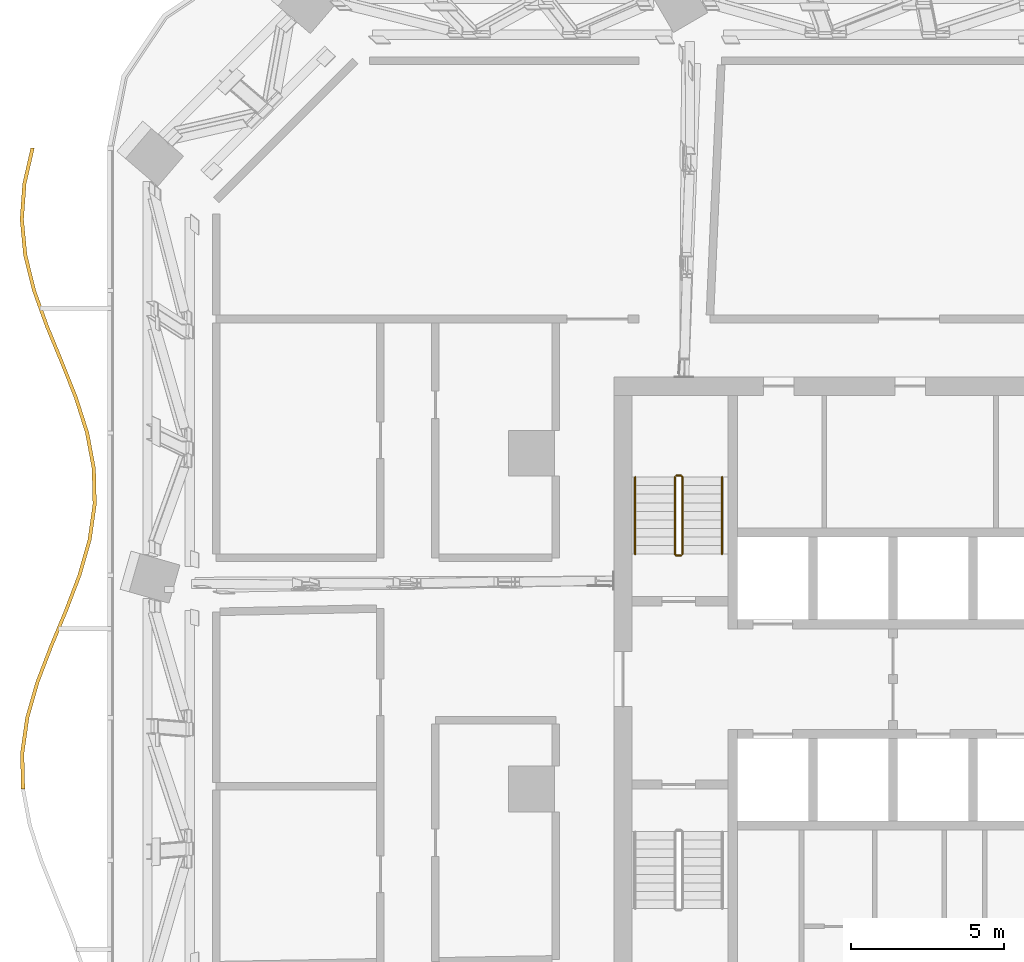
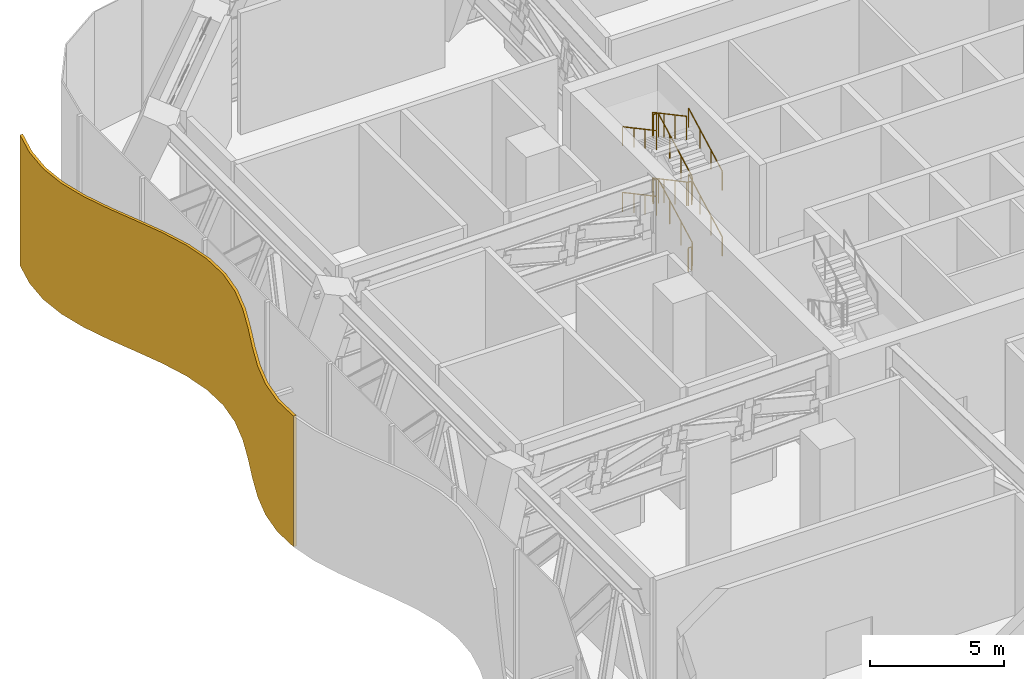
# One storey, part 29 of 32: 9 railings, 1 shading device.
"""IFC4 building model written with IfcOpenShell, lengths in metres."""

from ifc_helpers import new_model, si_unit, direction, frame, origin, origin_2d, place, context, subcontext, project, spatial, polyline, circle, outline, extrude, material, layer, layer_set, type_object, element, save


model = new_model("IFC4")

# Units and contexts
model_context = context("Model", 3, precision=1e-05, world=origin(), true_north=direction((0.0, 1.0)))
body_context = subcontext(model_context, "Body", "Model", "MODEL_VIEW")
ifc_project = project(units=[si_unit("LENGTHUNIT", "METRE"), si_unit("AREAUNIT", "SQUARE_METRE"), si_unit("VOLUMEUNIT", "CUBIC_METRE"), si_unit("PLANEANGLEUNIT", "RADIAN"), si_unit("MASSUNIT", "GRAM", prefix="KILO")], contexts=[model_context])

# Site, building, storey
site_placement = place(None, origin())
site = spatial("IfcSite", under=ifc_project, at=site_placement, CompositionType="ELEMENT")
building_placement = place(site_placement, origin())
building = spatial("IfcBuilding", under=site, at=building_placement, Name="Mopane Tessera Tower", CompositionType="ELEMENT")
storey_placement = place(building_placement, frame((0.0, 0.0, 88.60009765625)))
storey = spatial("IfcBuildingStorey", under=building, at=storey_placement, Name="L17", CompositionType="ELEMENT", Elevation=88.60009765625)

# Railings
ifc_material_1 = material(Name="Powder-coated steel balustrade", Category="steel")
railing_type_1 = type_object("IfcRailingType", Name="Escape stair guard 1100 mm", PredefinedType="GUARDRAIL", material=ifc_material_1)
railing_1_placement = place(storey_placement, frame((-12.14990234375, 7.699951171875, 0.14990234375)))
element("IfcRailing", 1, at=railing_1_placement, inside=storey, type_object=railing_type_1, Name="L17 ST2 stair guard 1", PredefinedType="GUARDRAIL", context=body_context, shape_type="SweptSolid", body=[
    extrude(circle(Radius=0.02392578125, at=origin_2d()), frame((0.0, 0.0, 1.076171875), z_axis=(0.0, 0.881467274426, 0.472245110209), x_axis=(-1.0, 0.0, 0.0)), (0.0, 0.0, 1.0), 2.85888671875),
    extrude(circle(Radius=0.02392578125, at=origin_2d()), frame((0.0, 2.52001953125, 2.42626953125), z_axis=(-0.707106781187, 0.707106781187, 0.0), x_axis=(-0.707106781187, -0.707106781187, 0.0)), (0.0, 0.0, 1.0), 0.07080078125),
    extrude(circle(Radius=0.02392578125, at=origin_2d()), frame((-0.050048828125, 2.570068359375, 2.42626953125), z_axis=(-1.0, 0.0, 0.0), x_axis=(0.0, -1.0, 0.0)), (0.0, 0.0, 1.0), 0.150146484375),
    extrude(circle(Radius=0.02099609375, at=origin_2d()), origin(), (0.0, 0.0, 1.0), 1.052001953125),
    extrude(circle(Radius=0.02099609375, at=origin_2d()), frame((0.0, 0.840087890625, 0.449951171875)), (0.0, 0.0, 1.0), 1.052001953125),
    extrude(circle(Radius=0.02099609375, at=origin_2d()), frame((0.0, 1.679931640625, 0.900146484375)), (0.0, 0.0, 1.0), 1.052001953125),
    extrude(circle(Radius=0.02099609375, at=origin_2d()), frame((0.0, 2.52001953125, 1.35009765625)), (0.0, 0.0, 1.0), 1.052001953125),
    extrude(circle(Radius=0.02099609375, at=origin_2d()), frame((-0.050048828125, 2.570068359375, 1.35009765625)), (0.0, 0.0, 1.0), 1.052001953125),
    extrude(circle(Radius=0.02099609375, at=origin_2d()), frame((-0.2001953125, 2.570068359375, 1.35009765625)), (0.0, 0.0, 1.0), 1.052001953125),
])
railing_2_placement = place(storey_placement, frame((-12.39990234375, 10.219970703125, 1.64990234375)))
element("IfcRailing", 2, at=railing_2_placement, inside=storey, type_object=railing_type_1, Name="L17 ST2 stair guard 2", PredefinedType="GUARDRAIL", context=body_context, shape_type="SweptSolid", body=[
    extrude(circle(Radius=0.02392578125, at=origin_2d()), frame((0.0, 0.0, 1.076171875), z_axis=(0.0, -0.881467274426, 0.472245110209), x_axis=(1.0, 0.0, 0.0)), (0.0, 0.0, 1.0), 2.85888671875),
    extrude(circle(Radius=0.02392578125, at=origin_2d()), frame((0.0, -2.52001953125, 2.42626953125), z_axis=(0.705375805398, -0.708833529934, 0.0), x_axis=(0.708833529934, 0.705375805398, 0.0)), (0.0, 0.0, 1.0), 0.070556640625),
    extrude(circle(Radius=0.02392578125, at=origin_2d()), frame((0.0498046875, -2.570068359375, 2.42626953125), z_axis=(1.0, 0.0, 0.0), x_axis=(0.0, 1.0, 0.0)), (0.0, 0.0, 1.0), 0.150146484375),
    extrude(circle(Radius=0.02099609375, at=origin_2d()), origin(), (0.0, 0.0, 1.0), 1.052001953125),
    extrude(circle(Radius=0.02099609375, at=origin_2d()), frame((0.0, -0.840087890625, 0.449951171875)), (0.0, 0.0, 1.0), 1.052001953125),
    extrude(circle(Radius=0.02099609375, at=origin_2d()), frame((0.0, -1.679931640625, 0.900146484375)), (0.0, 0.0, 1.0), 1.052001953125),
    extrude(circle(Radius=0.02099609375, at=origin_2d()), frame((0.0, -2.52001953125, 1.35009765625)), (0.0, 0.0, 1.0), 1.052001953125),
    extrude(circle(Radius=0.02099609375, at=origin_2d()), frame((0.0498046875, -2.570068359375, 1.35009765625)), (0.0, 0.0, 1.0), 1.052001953125),
    extrude(circle(Radius=0.02099609375, at=origin_2d()), frame((0.199951171875, -2.570068359375, 1.35009765625)), (0.0, 0.0, 1.0), 1.052001953125),
])
railing_3_placement = place(storey_placement, frame((-12.14990234375, 7.699951171875, 3.14990234375)))
element("IfcRailing", 3, at=railing_3_placement, inside=storey, type_object=railing_type_1, Name="L17 ST2 stair guard 3", PredefinedType="GUARDRAIL", context=body_context, shape_type="SweptSolid", body=[
    extrude(circle(Radius=0.02392578125, at=origin_2d()), frame((0.0, 0.0, 1.076171875), z_axis=(0.0, 0.881467274426, 0.472245110209), x_axis=(-1.0, 0.0, 0.0)), (0.0, 0.0, 1.0), 2.85888671875),
    extrude(circle(Radius=0.02392578125, at=origin_2d()), frame((0.0, 2.52001953125, 2.42626953125), z_axis=(-0.707106781187, 0.707106781187, 0.0), x_axis=(-0.707106781187, -0.707106781187, 0.0)), (0.0, 0.0, 1.0), 0.07080078125),
    extrude(circle(Radius=0.02392578125, at=origin_2d()), frame((-0.050048828125, 2.570068359375, 2.42626953125), z_axis=(-1.0, 0.0, 0.0), x_axis=(0.0, -1.0, 0.0)), (0.0, 0.0, 1.0), 0.150146484375),
    extrude(circle(Radius=0.02099609375, at=origin_2d()), origin(), (0.0, 0.0, 1.0), 1.052001953125),
    extrude(circle(Radius=0.02099609375, at=origin_2d()), frame((0.0, 0.840087890625, 0.449951171875)), (0.0, 0.0, 1.0), 1.052001953125),
    extrude(circle(Radius=0.02099609375, at=origin_2d()), frame((0.0, 1.679931640625, 0.900146484375)), (0.0, 0.0, 1.0), 1.052001953125),
    extrude(circle(Radius=0.02099609375, at=origin_2d()), frame((0.0, 2.52001953125, 1.35009765625)), (0.0, 0.0, 1.0), 1.052001953125),
    extrude(circle(Radius=0.02099609375, at=origin_2d()), frame((-0.050048828125, 2.570068359375, 1.35009765625)), (0.0, 0.0, 1.0), 1.052001953125),
    extrude(circle(Radius=0.02099609375, at=origin_2d()), frame((-0.2001953125, 2.570068359375, 1.35009765625)), (0.0, 0.0, 1.0), 1.052001953125),
])
railing_4_placement = place(storey_placement, frame((-12.39990234375, 10.219970703125, 4.64990234375)))
element("IfcRailing", 4, at=railing_4_placement, inside=storey, type_object=railing_type_1, Name="L17 ST2 stair guard 4", PredefinedType="GUARDRAIL", context=body_context, shape_type="SweptSolid", body=[
    extrude(circle(Radius=0.02392578125, at=origin_2d()), frame((0.0, 0.0, 1.076171875), z_axis=(0.0, -0.881467274426, 0.472245110209), x_axis=(1.0, 0.0, 0.0)), (0.0, 0.0, 1.0), 2.85888671875),
    extrude(circle(Radius=0.02099609375, at=origin_2d()), origin(), (0.0, 0.0, 1.0), 1.052001953125),
    extrude(circle(Radius=0.02099609375, at=origin_2d()), frame((0.0, -0.840087890625, 0.449951171875)), (0.0, 0.0, 1.0), 1.052001953125),
    extrude(circle(Radius=0.02099609375, at=origin_2d()), frame((0.0, -1.679931640625, 0.900146484375)), (0.0, 0.0, 1.0), 1.052001953125),
    extrude(circle(Radius=0.02099609375, at=origin_2d()), frame((0.0, -2.52001953125, 1.35009765625)), (0.0, 0.0, 1.0), 1.052001953125),
])
railing_5_placement = place(storey_placement, frame((-12.199951171875, 7.64990234375, 0.0)))
element("IfcRailing", 5, at=railing_5_placement, inside=storey, type_object=railing_type_1, Name="L17 ST2 stair guard 5", PredefinedType="GUARDRAIL", context=body_context, shape_type="SweptSolid", body=[
    extrude(circle(Radius=0.02392578125, at=origin_2d()), frame((0.0, 0.0, 1.076171875), z_axis=(-1.0, 0.0, 0.0), x_axis=(0.0, -1.0, 0.0)), (0.0, 0.0, 1.0), 0.150146484375),
    extrude(circle(Radius=0.02099609375, at=origin_2d()), origin(), (0.0, 0.0, 1.0), 1.052001953125),
    extrude(circle(Radius=0.02099609375, at=origin_2d()), frame((-0.150146484375, 0.0, 0.0)), (0.0, 0.0, 1.0), 1.052001953125),
])
ifc_material_2 = material(Name="Powder-coated steel balustrade", Category="steel")
railing_type_2 = type_object("IfcRailingType", Name="Escape stair handrail 900 mm", PredefinedType="HANDRAIL", material=ifc_material_2)
railing_6_placement = place(storey_placement, frame((-10.85009765625, 7.699951171875, 0.14990234375)))
element("IfcRailing", 6, at=railing_6_placement, inside=storey, type_object=railing_type_2, Name="L17 ST2 stair handrail 1", PredefinedType="HANDRAIL", context=body_context, shape_type="SweptSolid", body=[
    extrude(circle(Radius=0.02392578125, at=origin_2d()), frame((0.0, 0.0, 0.8759765625), z_axis=(0.0, 0.881467274426, 0.472245110209), x_axis=(-1.0, 0.0, 0.0)), (0.0, 0.0, 1.0), 2.85888671875),
    extrude(circle(Radius=0.02099609375, at=origin_2d()), origin(), (0.0, 0.0, 1.0), 0.851806640625),
    extrude(circle(Radius=0.02099609375, at=origin_2d()), frame((0.0, 0.840087890625, 0.449951171875)), (0.0, 0.0, 1.0), 0.851806640625),
    extrude(circle(Radius=0.02099609375, at=origin_2d()), frame((0.0, 1.679931640625, 0.900146484375)), (0.0, 0.0, 1.0), 0.851806640625),
    extrude(circle(Radius=0.02099609375, at=origin_2d()), frame((0.0, 2.52001953125, 1.35009765625)), (0.0, 0.0, 1.0), 0.851806640625),
])
railing_7_placement = place(storey_placement, frame((-13.699951171875, 10.219970703125, 1.64990234375)))
element("IfcRailing", 7, at=railing_7_placement, inside=storey, type_object=railing_type_2, Name="L17 ST2 stair handrail 2", PredefinedType="HANDRAIL", context=body_context, shape_type="SweptSolid", body=[
    extrude(circle(Radius=0.02392578125, at=origin_2d()), frame((0.0, 0.0, 0.8759765625), z_axis=(0.0, -0.881467274426, 0.472245110209), x_axis=(1.0, 0.0, 0.0)), (0.0, 0.0, 1.0), 2.85888671875),
    extrude(circle(Radius=0.02099609375, at=origin_2d()), origin(), (0.0, 0.0, 1.0), 0.851806640625),
    extrude(circle(Radius=0.02099609375, at=origin_2d()), frame((0.0, -0.840087890625, 0.449951171875)), (0.0, 0.0, 1.0), 0.851806640625),
    extrude(circle(Radius=0.02099609375, at=origin_2d()), frame((0.0, -1.679931640625, 0.900146484375)), (0.0, 0.0, 1.0), 0.851806640625),
    extrude(circle(Radius=0.02099609375, at=origin_2d()), frame((0.0, -2.52001953125, 1.35009765625)), (0.0, 0.0, 1.0), 0.851806640625),
])
railing_8_placement = place(storey_placement, frame((-10.85009765625, 7.699951171875, 3.14990234375)))
element("IfcRailing", 8, at=railing_8_placement, inside=storey, type_object=railing_type_2, Name="L17 ST2 stair handrail 3", PredefinedType="HANDRAIL", context=body_context, shape_type="SweptSolid", body=[
    extrude(circle(Radius=0.02392578125, at=origin_2d()), frame((0.0, 0.0, 0.8759765625), z_axis=(0.0, 0.881467274426, 0.472245110209), x_axis=(-1.0, 0.0, 0.0)), (0.0, 0.0, 1.0), 2.85888671875),
    extrude(circle(Radius=0.02099609375, at=origin_2d()), origin(), (0.0, 0.0, 1.0), 0.851806640625),
    extrude(circle(Radius=0.02099609375, at=origin_2d()), frame((0.0, 0.840087890625, 0.449951171875)), (0.0, 0.0, 1.0), 0.851806640625),
    extrude(circle(Radius=0.02099609375, at=origin_2d()), frame((0.0, 1.679931640625, 0.900146484375)), (0.0, 0.0, 1.0), 0.851806640625),
    extrude(circle(Radius=0.02099609375, at=origin_2d()), frame((0.0, 2.52001953125, 1.35009765625)), (0.0, 0.0, 1.0), 0.851806640625),
])
railing_9_placement = place(storey_placement, frame((-13.699951171875, 10.219970703125, 4.64990234375)))
element("IfcRailing", 9, at=railing_9_placement, inside=storey, type_object=railing_type_2, Name="L17 ST2 stair handrail 4", PredefinedType="HANDRAIL", context=body_context, shape_type="SweptSolid", body=[
    extrude(circle(Radius=0.02392578125, at=origin_2d()), frame((0.0, 0.0, 0.8759765625), z_axis=(0.0, -0.881467274426, 0.472245110209), x_axis=(1.0, 0.0, 0.0)), (0.0, 0.0, 1.0), 2.85888671875),
    extrude(circle(Radius=0.02099609375, at=origin_2d()), origin(), (0.0, 0.0, 1.0), 0.851806640625),
    extrude(circle(Radius=0.02099609375, at=origin_2d()), frame((0.0, -0.840087890625, 0.449951171875)), (0.0, 0.0, 1.0), 0.851806640625),
    extrude(circle(Radius=0.02099609375, at=origin_2d()), frame((0.0, -1.679931640625, 0.900146484375)), (0.0, 0.0, 1.0), 0.851806640625),
    extrude(circle(Radius=0.02099609375, at=origin_2d()), frame((0.0, -2.52001953125, 1.35009765625)), (0.0, 0.0, 1.0), 0.851806640625),
])

# Shading device
ifc_material_3 = material(Name="Anodised aluminium louvre blades", Category="aluminium")
ifc_layer = layer(ifc_material_3, 0.1201171875)
ifc_layer_set = layer_set([ifc_layer], Name="Anodised aluminium louvre blades")
shading_device_type = type_object("IfcShadingDeviceType", Name="Wave louvre screen", PredefinedType="JALOUSIE", material=ifc_layer_set)
shading_device_placement = place(storey_placement, frame((0.0, 0.0, -0.420166015625)))
element("IfcShadingDevice", 10, at=shading_device_placement, inside=storey, type_object=shading_device_type, Name="e:lv:L17:W:0", PredefinedType="JALOUSIE", context=body_context, shape_type="SweptSolid", body=[
    extrude(outline(polyline([(-33.388427734375, 21.0), (-33.6552734375, 19.833251953125), (-33.739501953125, 18.666748046875), (-33.627685546875, 17.5), (-33.337646484375, 16.333251953125), (-32.91748046875, 15.166748046875), (-32.435302734375, 14.0), (-31.970458984375, 12.833251953125), (-31.5986328125, 11.666748046875), (-31.380859375, 10.5), (-31.352783203125, 9.333251953125), (-31.5185546875, 8.166748046875), (-31.851806640625, 7.0), (-32.29736328125, 5.833251953125), (-32.78271484375, 4.666748046875), (-33.228271484375, 3.5), (-33.561279296875, 2.333251953125), (-33.727294921875, 1.166748046875), (-33.69921875, 0.0), (-33.819091796875, 0.0), (-33.847412109375, 1.166748046875), (-33.681396484375, 2.333251953125), (-33.348388671875, 3.5), (-32.902587890625, 4.666748046875), (-32.417236328125, 5.833251953125), (-31.9716796875, 7.0), (-31.638671875, 8.166748046875), (-31.47265625, 9.333251953125), (-31.5009765625, 10.5), (-31.71875, 11.666748046875), (-32.090576171875, 12.833251953125), (-32.555419921875, 14.0), (-33.037353515625, 15.166748046875), (-33.457763671875, 16.333251953125), (-33.74755859375, 17.5), (-33.859375, 18.666748046875), (-33.775146484375, 19.833251953125), (-33.508544921875, 21.0), (-33.388427734375, 21.0)])), origin(), (0.0, 0.0, 1.0), 5.969970703125),
])

save(model, "model.ifc")
